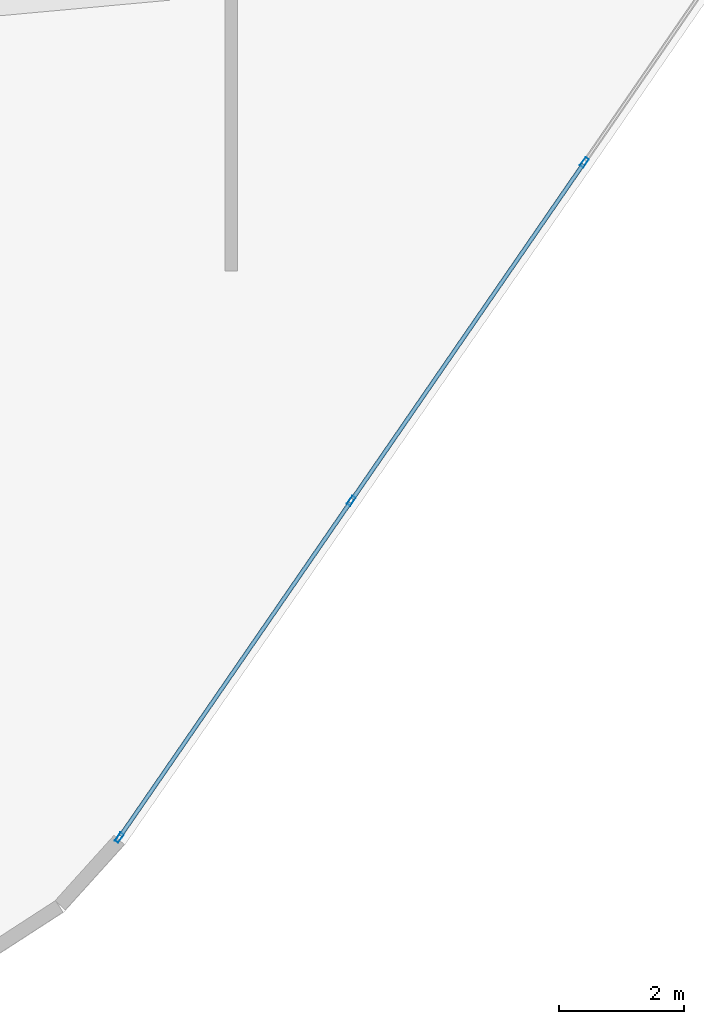
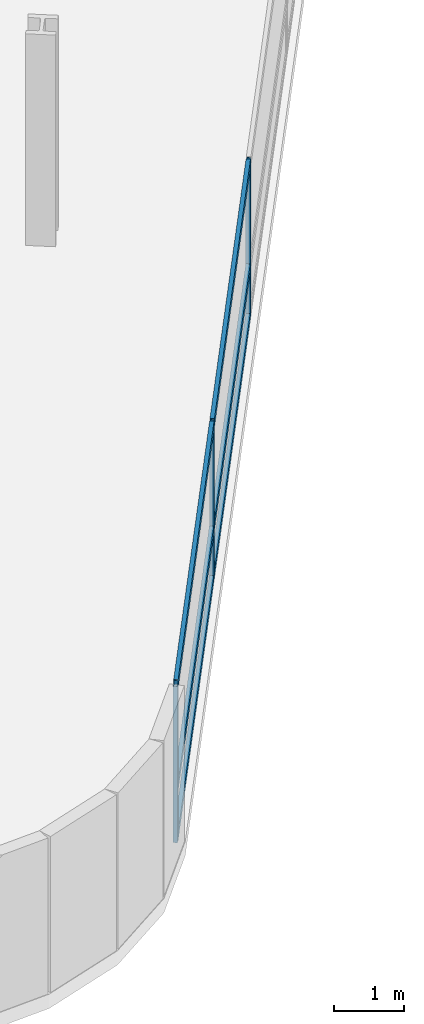
# One storey, part 6 of 24: 9 members, 1 element without a shape of its own.
"""IFC4 building model written with IfcOpenShell, lengths in metres."""

from ifc_helpers import new_model, si_unit, direction, frame, origin, origin_2d, place, context, subcontext, project, spatial, hollow_rectangle, extrude, material, layer, layer_set, material_profile, profile_set, type_object, element, aggregate, save


model = new_model("IFC4")

# Units and contexts
model_context = context("Model", 3, precision=1e-05, world=origin(), true_north=direction((0.0, 1.0)))
body_context = subcontext(model_context, "Body", "Model", "MODEL_VIEW")
ifc_project = project(units=[si_unit("LENGTHUNIT", "METRE"), si_unit("AREAUNIT", "SQUARE_METRE"), si_unit("VOLUMEUNIT", "CUBIC_METRE"), si_unit("PLANEANGLEUNIT", "RADIAN"), si_unit("MASSUNIT", "GRAM", prefix="KILO")], contexts=[model_context])

# Site, building, storey
site_placement = place(None, origin())
site = spatial("IfcSite", under=ifc_project, at=site_placement, CompositionType="ELEMENT")
building_placement = place(site_placement, origin())
building = spatial("IfcBuilding", under=site, at=building_placement, Name="Varnelok Gate Tower", CompositionType="ELEMENT")
storey_placement = place(building_placement, frame((0.0, 0.0, 38.10009765625)))
storey = spatial("IfcBuildingStorey", under=building, at=storey_placement, Name="L08", CompositionType="ELEMENT", Elevation=38.10009765625)

# Curtain wall, members
ifc_material = material(Name="Anodized Aluminum Alloy 6063-T6", Category="aluminium")
ifc_layer = layer(ifc_material, 0.179931640625)
ifc_layer_set = layer_set([ifc_layer], Name="Anodized Aluminum Alloy 6063-T6")
curtain_wall_type = type_object("IfcCurtainWallType", Name="CW3-HOTEL-VISION", PredefinedType="USERDEFINED", material=ifc_layer_set)
curtain_wall_placement = place(storey_placement, origin())
curtain_wall = element("IfcCurtainWall", 1, at=curtain_wall_placement, inside=storey, type_object=curtain_wall_type, Name="L08 East End Vision Curtain Wall", ObjectType="UNITISED CURTAIN WALL", PredefinedType="USERDEFINED")
ifc_material_profile_1 = material_profile(ifc_material, hollow_rectangle(XDim=0.06494140625, YDim=0.159912109375, WallThickness=0.00390625, at=origin_2d()), Name="ALU160X65X4")
ifc_profile_set_1 = profile_set([ifc_material_profile_1], Name="Anodized Aluminum Alloy 6063-T6")
member_type_1 = type_object("IfcMemberType", Name="CW-MULL-160", PredefinedType="MULLION", material=ifc_profile_set_1)
member_1_placement = place(storey_placement, frame((67.64208984375, -2.265380859375, 0.0), z_axis=(0.0, 0.0, 1.0), x_axis=(0.823532685111, -0.567268822124, 0.0)))
member_1 = element("IfcMember", 2, at=member_1_placement, type_object=member_type_1, Name="CW3 mullion 5", PredefinedType="MULLION", context=body_context, shape_type="SweptSolid", body=[
    extrude(hollow_rectangle(XDim=0.06494140625, YDim=0.159912109375, WallThickness=0.00390625, at=origin_2d()), origin(), (0.0, 0.0, 1.0), 2.72998046875),
])
member_2_placement = place(storey_placement, frame((63.9169921875, -7.67333984375, 0.0), z_axis=(0.0, 0.0, 1.0), x_axis=(0.823532685111, -0.567268822124, 0.0)))
member_2 = element("IfcMember", 3, at=member_2_placement, type_object=member_type_1, Name="CW3 mullion 6", PredefinedType="MULLION", context=body_context, shape_type="SweptSolid", body=[
    extrude(hollow_rectangle(XDim=0.06494140625, YDim=0.159912109375, WallThickness=0.00390625, at=origin_2d()), origin(), (0.0, 0.0, 1.0), 2.72998046875),
])
member_3_placement = place(storey_placement, frame((60.21044921875, -13.054443359375, 0.0), z_axis=(0.0, 0.0, 1.0), x_axis=(0.823532685111, -0.567268822124, 0.0)))
member_3 = element("IfcMember", 4, at=member_3_placement, type_object=member_type_1, Name="CW3 mullion 7", PredefinedType="MULLION", context=body_context, shape_type="SweptSolid", body=[
    extrude(hollow_rectangle(XDim=0.06494140625, YDim=0.159912109375, WallThickness=0.00390625, at=origin_2d()), origin(), (0.0, 0.0, 1.0), 2.72998046875),
])
ifc_material_profile_2 = material_profile(ifc_material, hollow_rectangle(XDim=0.06494140625, YDim=0.159912109375, WallThickness=0.00390625, at=origin_2d()), Name="ALU160X65X4")
ifc_profile_set_2 = profile_set([ifc_material_profile_2], Name="Anodized Aluminum Alloy 6063-T6")
member_type_2 = type_object("IfcMemberType", Name="CW-TRAN-160", PredefinedType="USERDEFINED", material=ifc_profile_set_2)
member_4_placement = place(storey_placement, frame((67.623779296875, -2.292236328125, 0.032470703125), z_axis=(-0.567279204469, -0.823525533409, 0.0), x_axis=(0.823525533409, -0.567279204469, 0.0)))
member_4 = element("IfcMember", 5, at=member_4_placement, type_object=member_type_2, Name="CW3 transom 5.1", ObjectType="TRANSOM", PredefinedType="USERDEFINED", context=body_context, shape_type="SweptSolid", body=[
    extrude(hollow_rectangle(XDim=0.06494140625, YDim=0.159912109375, WallThickness=0.00390625, at=origin_2d()), origin(), (0.0, 0.0, 1.0), 6.501708984375),
])
member_5_placement = place(storey_placement, frame((67.623779296875, -2.292236328125, 0.89990234375), z_axis=(-0.567279204469, -0.823525533409, 0.0), x_axis=(0.823525533409, -0.567279204469, 0.0)))
member_5 = element("IfcMember", 6, at=member_5_placement, type_object=member_type_2, Name="CW3 transom 5.2", ObjectType="TRANSOM", PredefinedType="USERDEFINED", context=body_context, shape_type="SweptSolid", body=[
    extrude(hollow_rectangle(XDim=0.06494140625, YDim=0.159912109375, WallThickness=0.00390625, at=origin_2d()), origin(), (0.0, 0.0, 1.0), 6.501708984375),
])
member_6_placement = place(storey_placement, frame((67.623779296875, -2.292236328125, 2.697509765625), z_axis=(-0.567279204469, -0.823525533409, 0.0), x_axis=(0.823525533409, -0.567279204469, 0.0)))
member_6 = element("IfcMember", 7, at=member_6_placement, type_object=member_type_2, Name="CW3 transom 5.3", ObjectType="TRANSOM", PredefinedType="USERDEFINED", context=body_context, shape_type="SweptSolid", body=[
    extrude(hollow_rectangle(XDim=0.06494140625, YDim=0.159912109375, WallThickness=0.00390625, at=origin_2d()), origin(), (0.0, 0.0, 1.0), 6.501708984375),
])
member_7_placement = place(storey_placement, frame((63.898681640625, -7.699951171875, 0.032470703125), z_axis=(-0.567281349446, -0.823524055854, 0.0), x_axis=(0.823524055854, -0.567281349446, 0.0)))
member_7 = element("IfcMember", 8, at=member_7_placement, type_object=member_type_2, Name="CW3 transom 6.1", ObjectType="TRANSOM", PredefinedType="USERDEFINED", context=body_context, shape_type="SweptSolid", body=[
    extrude(hollow_rectangle(XDim=0.06494140625, YDim=0.159912109375, WallThickness=0.00390625, at=origin_2d()), origin(), (0.0, 0.0, 1.0), 6.46923828125),
])
member_8_placement = place(storey_placement, frame((63.898681640625, -7.699951171875, 0.89990234375), z_axis=(-0.567281349446, -0.823524055854, 0.0), x_axis=(0.823524055854, -0.567281349446, 0.0)))
member_8 = element("IfcMember", 9, at=member_8_placement, type_object=member_type_2, Name="CW3 transom 6.2", ObjectType="TRANSOM", PredefinedType="USERDEFINED", context=body_context, shape_type="SweptSolid", body=[
    extrude(hollow_rectangle(XDim=0.06494140625, YDim=0.159912109375, WallThickness=0.00390625, at=origin_2d()), origin(), (0.0, 0.0, 1.0), 6.46923828125),
])
member_9_placement = place(storey_placement, frame((63.898681640625, -7.699951171875, 2.697509765625), z_axis=(-0.567281349446, -0.823524055854, 0.0), x_axis=(0.823524055854, -0.567281349446, 0.0)))
member_9 = element("IfcMember", 10, at=member_9_placement, type_object=member_type_2, Name="CW3 transom 6.3", ObjectType="TRANSOM", PredefinedType="USERDEFINED", context=body_context, shape_type="SweptSolid", body=[
    extrude(hollow_rectangle(XDim=0.06494140625, YDim=0.159912109375, WallThickness=0.00390625, at=origin_2d()), origin(), (0.0, 0.0, 1.0), 6.46923828125),
])
aggregate(curtain_wall, [member_1, member_2, member_3, member_4, member_5, member_6, member_7, member_8, member_9])

save(model, "model.ifc")
